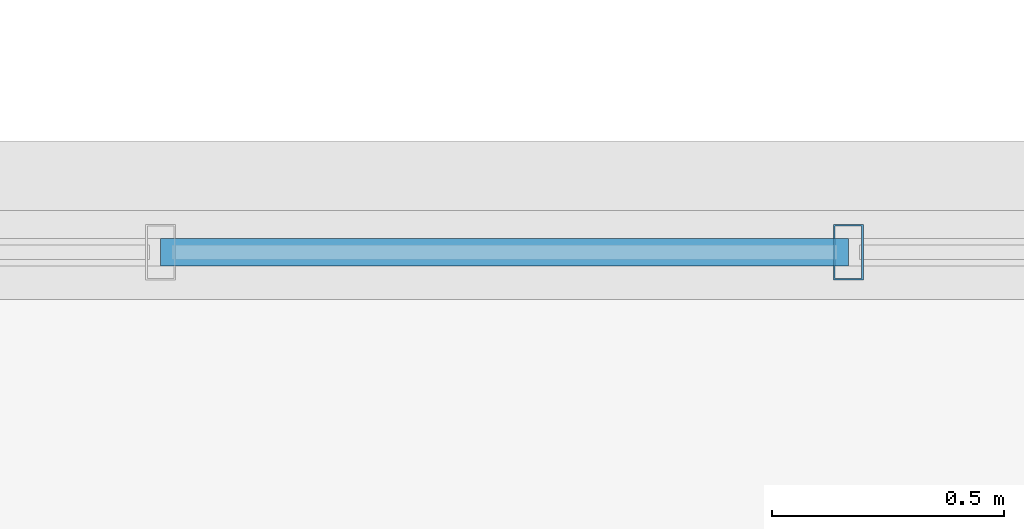
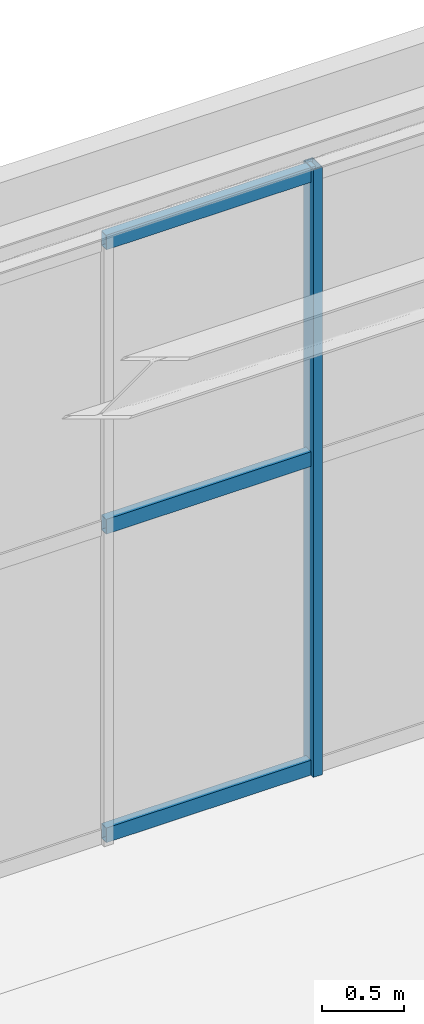
# One storey, part 88 of 174: 4 members, 1 element without a shape of its own.
"""IFC4 building model written with IfcOpenShell, lengths in metres."""

from ifc_helpers import new_model, si_unit, direction, frame, origin, origin_2d, place, context, subcontext, project, spatial, hollow_rectangle, extrude, material, material_profile, profile_set, type_object, element, aggregate, save


model = new_model("IFC4")

# Units and contexts
model_context = context("Model", 3, precision=1e-05, world=origin(), true_north=direction((0.0, 1.0)))
body_context = subcontext(model_context, "Body", "Model", "MODEL_VIEW")
ifc_project = project(units=[si_unit("LENGTHUNIT", "METRE"), si_unit("AREAUNIT", "SQUARE_METRE"), si_unit("VOLUMEUNIT", "CUBIC_METRE"), si_unit("PLANEANGLEUNIT", "RADIAN"), si_unit("MASSUNIT", "GRAM", prefix="KILO")], contexts=[model_context])

# Site, building, storey
site_placement = place(None, origin())
site = spatial("IfcSite", under=ifc_project, at=site_placement, CompositionType="ELEMENT")
building_placement = place(site_placement, origin())
building = spatial("IfcBuilding", under=site, at=building_placement, Name="Mavantir Sound Aquarium", CompositionType="ELEMENT")
storey_placement = place(building_placement, frame((0.0, 0.0, 5.39990234375)))
storey = spatial("IfcBuildingStorey", under=building, at=storey_placement, Name="L01", CompositionType="ELEMENT", Elevation=5.39990234375)

# Curtain wall, members
ifc_material_1 = material(Name="Anodised Marine Aluminium and Low-E Glass", Category="aluminium")
curtain_wall_type = type_object("IfcCurtainWallType", Name="CW-T16", PredefinedType="USERDEFINED", material=ifc_material_1)
curtain_wall_placement = place(storey_placement, origin())
curtain_wall = element("IfcCurtainWall", 1, at=curtain_wall_placement, inside=storey, type_object=curtain_wall_type, Name="L01 unitised curtain wall CW-16 88", ObjectType="UNITISED GLAZING", PredefinedType="USERDEFINED")
ifc_material_2 = material(Name="Anodised Marine Aluminium 6063-T6", Category="aluminium")
ifc_material_profile_1 = material_profile(ifc_material_2, hollow_rectangle(XDim=0.06494140625, YDim=0.1201171875, WallThickness=0.00390625, at=origin_2d()), Name="ALU-MULLION-120X65")
ifc_profile_set_1 = profile_set([ifc_material_profile_1], Name="Anodised Marine Aluminium 6063-T6")
member_type_1 = type_object("IfcMemberType", Name="CW-MUL-120", PredefinedType="MULLION", material=ifc_profile_set_1)
member_1_placement = place(storey_placement, frame((111.3193359375, 95.60009765625, 0.0), z_axis=(0.0, 0.0, 1.0), x_axis=(1.0, 0.0, 0.0)))
member_1 = element("IfcMember", 2, at=member_1_placement, type_object=member_type_1, Name="CW-L01-088 vertical mullion 5", PredefinedType="MULLION", context=body_context, shape_type="SweptSolid", body=[
    extrude(hollow_rectangle(XDim=0.06494140625, YDim=0.1201171875, WallThickness=0.00390625, at=origin_2d()), origin(), (0.0, 0.0, 1.0), 4.543212890625),
])
ifc_material_profile_2 = material_profile(ifc_material_2, hollow_rectangle(XDim=0.06005859375, YDim=0.110107421875, WallThickness=0.00390625, at=origin_2d()), Name="ALU-TRANSOM-110X60")
ifc_profile_set_2 = profile_set([ifc_material_profile_2], Name="Anodised Marine Aluminium 6063-T6")
member_type_2 = type_object("IfcMemberType", Name="CW-TRN-110", PredefinedType="USERDEFINED", material=ifc_profile_set_2)
member_2_placement = place(storey_placement, frame((111.3193359375, 95.60009765625, 0.05517578125), z_axis=(-1.0, 0.0, 0.0), x_axis=(0.0, -1.0, 0.0)))
member_2 = element("IfcMember", 3, at=member_2_placement, type_object=member_type_2, Name="CW-L01-088 transom 5.1", ObjectType="TRANSOM", PredefinedType="USERDEFINED", context=body_context, shape_type="SweptSolid", body=[
    extrude(hollow_rectangle(XDim=0.06005859375, YDim=0.110107421875, WallThickness=0.00390625, at=origin_2d()), origin(), (0.0, 0.0, 1.0), 1.480712890625),
])
member_3_placement = place(storey_placement, frame((111.3193359375, 95.60009765625, 2.362548828125), z_axis=(-1.0, 0.0, 0.0), x_axis=(0.0, -1.0, 0.0)))
member_3 = element("IfcMember", 4, at=member_3_placement, type_object=member_type_2, Name="CW-L01-088 transom 5.2", ObjectType="TRANSOM", PredefinedType="USERDEFINED", context=body_context, shape_type="SweptSolid", body=[
    extrude(hollow_rectangle(XDim=0.06005859375, YDim=0.110107421875, WallThickness=0.00390625, at=origin_2d()), origin(), (0.0, 0.0, 1.0), 1.480712890625),
])
member_4_placement = place(storey_placement, frame((111.3193359375, 95.60009765625, 4.488037109375), z_axis=(-1.0, 0.0, 0.0), x_axis=(0.0, -1.0, 0.0)))
member_4 = element("IfcMember", 5, at=member_4_placement, type_object=member_type_2, Name="CW-L01-088 transom 5.3", ObjectType="TRANSOM", PredefinedType="USERDEFINED", context=body_context, shape_type="SweptSolid", body=[
    extrude(hollow_rectangle(XDim=0.06005859375, YDim=0.110107421875, WallThickness=0.00390625, at=origin_2d()), origin(), (0.0, 0.0, 1.0), 1.480712890625),
])
aggregate(curtain_wall, [member_1, member_2, member_3, member_4])

save(model, "model.ifc")
